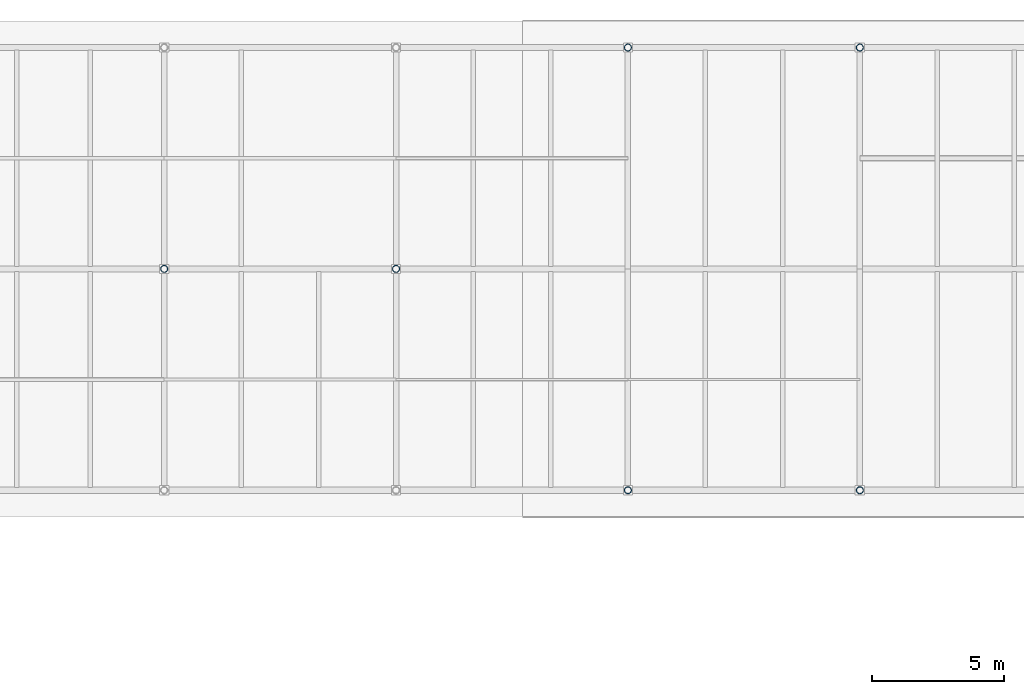
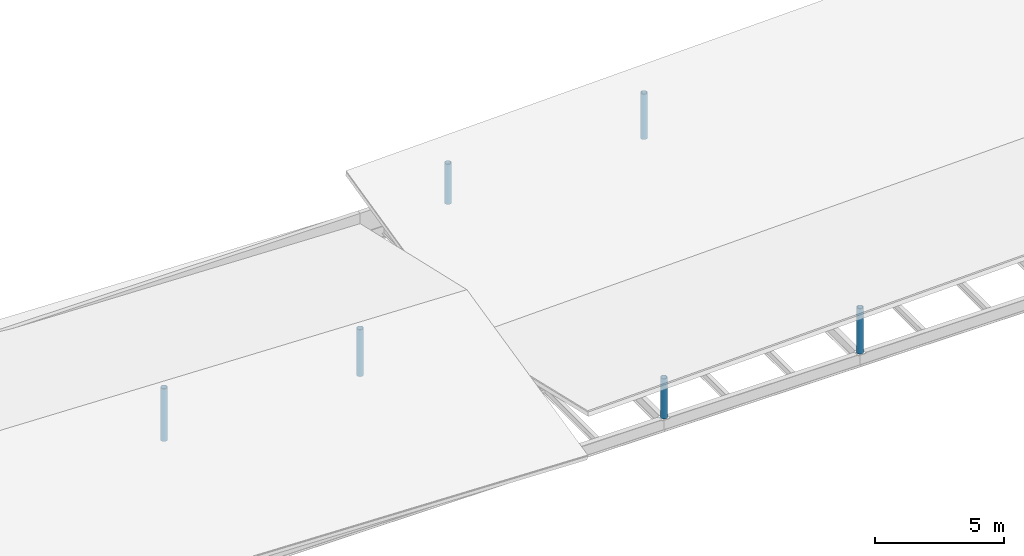
# One storey, part 4 of 65: 6 columns.
"""IFC4 building model written with IfcOpenShell, lengths in metres."""

from ifc_helpers import new_model, si_unit, direction, frame, origin, origin_2d, place, context, subcontext, project, spatial, hollow_circle, extrude, material, material_profile, profile_set, type_object, element, save


model = new_model("IFC4")

# Units and contexts
model_context = context("Model", 3, precision=1e-05, world=origin(), true_north=direction((0.0, 1.0)))
body_context = subcontext(model_context, "Body", "Model", "MODEL_VIEW")
ifc_project = project(units=[si_unit("LENGTHUNIT", "METRE"), si_unit("AREAUNIT", "SQUARE_METRE"), si_unit("VOLUMEUNIT", "CUBIC_METRE"), si_unit("PLANEANGLEUNIT", "RADIAN"), si_unit("MASSUNIT", "GRAM", prefix="KILO")], contexts=[model_context])

# Site, building, storey
site_placement = place(None, origin())
site = spatial("IfcSite", under=ifc_project, at=site_placement, CompositionType="ELEMENT")
building_placement = place(site_placement, origin())
building = spatial("IfcBuilding", under=site, at=building_placement, Name="Cinderway Yard Community Centre", CompositionType="ELEMENT")
storey_placement = place(building_placement, frame((0.0, 0.0, 24.300048828125)))
storey = spatial("IfcBuildingStorey", under=building, at=storey_placement, Name="RF", CompositionType="ELEMENT", Elevation=24.300048828125)

# Columns
ifc_material = material(Name="Steel S355", Category="steel")
ifc_material_profile = material_profile(ifc_material, hollow_circle(Radius=0.136474609375, WallThickness=0.012451171875, at=origin_2d()), Name="Steel S355")
ifc_profile_set = profile_set([ifc_material_profile], Name="Steel S355")
column_type = type_object("IfcColumnType", Name="STR-POST-CHS273", PredefinedType="PILASTER", material=ifc_profile_set)
column_1_placement = place(storey_placement, frame((75.199951171875, 106.800048828125, 0.0), z_axis=(0.0, 0.0, 1.0), x_axis=(1.0, 0.0, 0.0)))
element("IfcColumn", 1, at=column_1_placement, inside=storey, type_object=column_type, Name="V4 scissored roof post 75_106", PredefinedType="PILASTER", context=body_context, shape_type="SweptSolid", body=[
    extrude(hollow_circle(Radius=0.136474609375, WallThickness=0.012451171875, at=origin_2d()), origin(), (0.0, 0.0, 1.0), 2.5048828125),
])
column_2_placement = place(storey_placement, frame((84.0, 106.800048828125, 0.0), z_axis=(0.0, 0.0, 1.0), x_axis=(1.0, 0.0, 0.0)))
element("IfcColumn", 2, at=column_2_placement, inside=storey, type_object=column_type, Name="V4 scissored roof post 84_106", PredefinedType="PILASTER", context=body_context, shape_type="SweptSolid", body=[
    extrude(hollow_circle(Radius=0.136474609375, WallThickness=0.012451171875, at=origin_2d()), origin(), (0.0, 0.0, 1.0), 2.22998046875),
])
for number, where, z_axis, x_axis, name in (
    (3, (92.800048828125, 98.39990234375, 0.0), (0.0, 0.0, 1.0), (1.0, 0.0, 0.0), "V4 scissored roof post 92_98"),
    (4, (92.800048828125, 115.199951171875, 0.0), (0.0, 0.0, 1.0), (1.0, 0.0, 0.0), "V4 scissored roof post 92_115"),
):
    element("IfcColumn", number, at=place(storey_placement, frame(where, z_axis=z_axis, x_axis=x_axis)), inside=storey, type_object=column_type, Name=name, PredefinedType="PILASTER", context=body_context, shape_type="SweptSolid", body=[
        extrude(hollow_circle(Radius=0.136474609375, WallThickness=0.012451171875, at=origin_2d()), origin(), (0.0, 0.0, 1.0), 1.907958984375),
    ])
for number, where, z_axis, x_axis, name in (
    (5, (101.60009765625, 98.39990234375, 0.0), (0.0, 0.0, 1.0), (1.0, 0.0, 0.0), "V4 scissored roof post 101_98"),
    (6, (101.60009765625, 115.199951171875, 0.0), (0.0, 0.0, 1.0), (1.0, 0.0, 0.0), "V4 scissored roof post 101_115"),
):
    element("IfcColumn", number, at=place(storey_placement, frame(where, z_axis=z_axis, x_axis=x_axis)), inside=storey, type_object=column_type, Name=name, PredefinedType="PILASTER", context=body_context, shape_type="SweptSolid", body=[
        extrude(hollow_circle(Radius=0.136474609375, WallThickness=0.012451171875, at=origin_2d()), origin(), (0.0, 0.0, 1.0), 2.156005859375),
    ])

save(model, "model.ifc")
